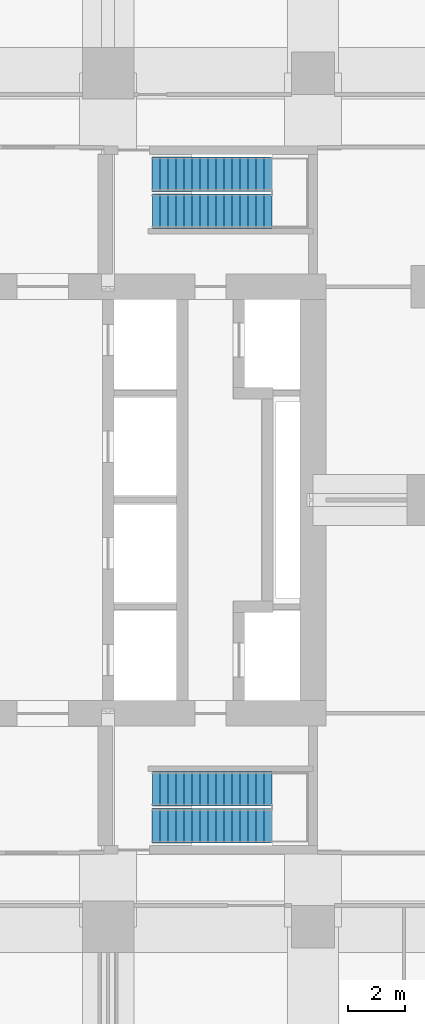
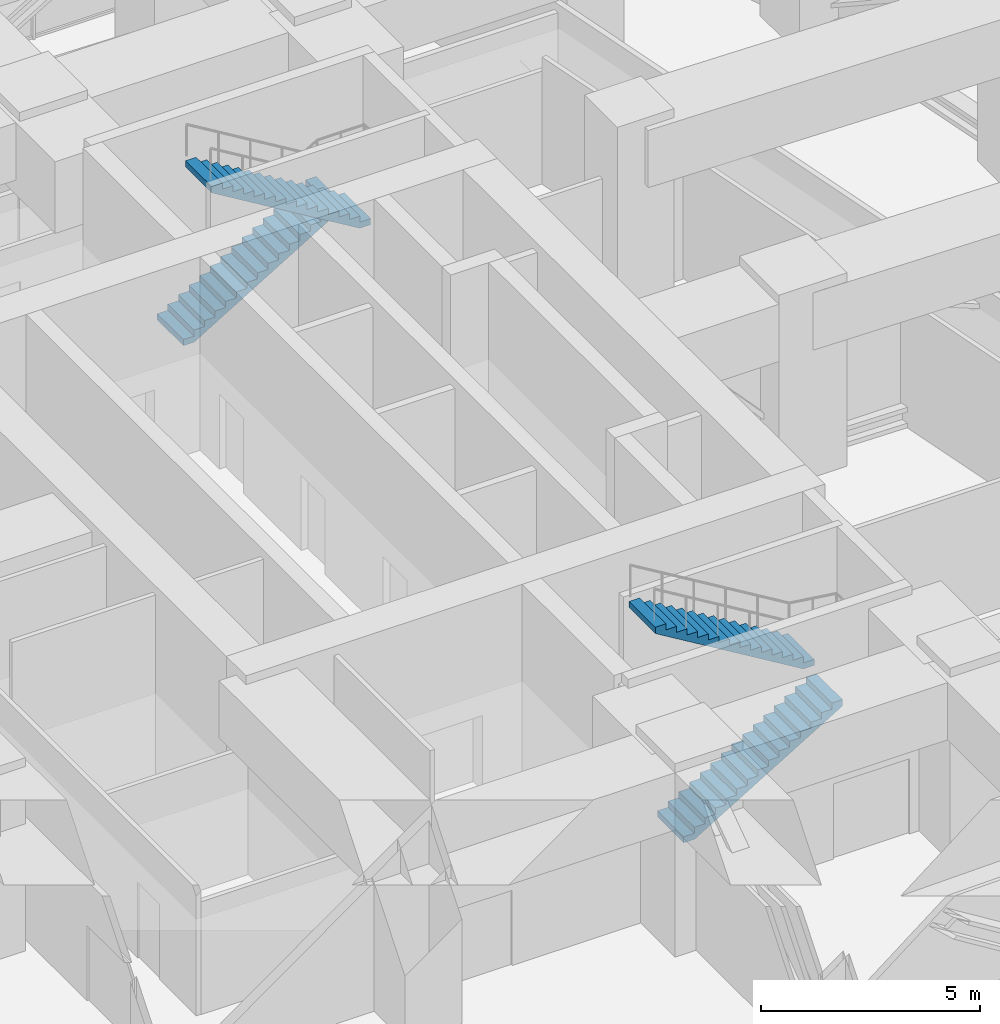
# One storey, part 16 of 17: 4 stair flights, 2 elements without a shape of their own.
"""IFC4 building model written with IfcOpenShell, lengths in metres."""

from ifc_helpers import new_model, si_unit, direction, frame, origin, place, context, subcontext, project, spatial, triangles, material, type_object, element, aggregate, save


model = new_model("IFC4")

# Units and contexts
model_context = context("Model", 3, precision=1e-05, world=origin(), true_north=direction((0.0, 1.0)))
body_context = subcontext(model_context, "Body", "Model", "MODEL_VIEW")
ifc_project = project(units=[si_unit("LENGTHUNIT", "METRE"), si_unit("AREAUNIT", "SQUARE_METRE"), si_unit("VOLUMEUNIT", "CUBIC_METRE"), si_unit("PLANEANGLEUNIT", "RADIAN"), si_unit("MASSUNIT", "GRAM", prefix="KILO")], contexts=[model_context])

# Site, building, storey
site_placement = place(None, origin())
site = spatial("IfcSite", under=ifc_project, at=site_placement, CompositionType="ELEMENT")
building_placement = place(site_placement, origin())
building = spatial("IfcBuilding", under=site, at=building_placement, Name="Sheger Commons Tower", CompositionType="ELEMENT")
storey_placement = place(building_placement, frame((0.0, 0.0, 188.300048828125)))
storey = spatial("IfcBuildingStorey", under=building, at=storey_placement, Name="L48", CompositionType="ELEMENT", Elevation=188.300048828125)

# Stair, stair flights
ifc_material_1 = material(Name="Concrete C35/45", Category="concrete")
stair_type = type_object("IfcStairType", Name="HALF-TURN STAIR 1200 RISE 5400", PredefinedType="HALF_TURN_STAIR", material=ifc_material_1)
stair_1_placement = place(storey_placement, origin())
stair_1 = element("IfcStair", 1, at=stair_1_placement, inside=storey, type_object=stair_type, Name="Stair S1 L48", PredefinedType="HALF_TURN_STAIR")
ifc_material_2 = material(Name="Concrete C35/45", Category="concrete")
stair_flight_type = type_object("IfcStairFlightType", Name="STAIR FLIGHT 1200 16 RISERS OF 169", PredefinedType="STRAIGHT", material=ifc_material_2)
stair_flight_1_placement = place(storey_placement, frame((23.14990234375, 11.050048828125, 0.0), z_axis=(0.0, 0.0, 1.0), x_axis=(1.0, 0.0, 0.0)))
stair_flight_1 = element("IfcStairFlight", 2, at=stair_flight_1_placement, type_object=stair_flight_type, Name="S1 flight 1", NumberOfRisers=16, NumberOfTreads=15, PredefinedType="STRAIGHT", RiserHeight=0.16875, TreadLength=0.28, context=body_context, shape_type="Tessellation", body=[
    triangles([(0.0, 0.5999755859375, 0.0), (0.0, 0.5999755859375, 0.168701171875), (0.280029296875, 0.5999755859375, 0.168701171875), (0.280029296875, 0.5999755859375, 0.33740234375), (0.56005859375, 0.5999755859375, 0.33740234375), (0.56005859375, 0.5999755859375, 0.50634765625), (0.840087890625, 0.5999755859375, 0.50634765625), (0.840087890625, 0.5999755859375, 0.675048828125), (1.1201171875, 0.5999755859375, 0.675048828125), (1.1201171875, 0.5999755859375, 0.84375), (1.39990234375, 0.5999755859375, 0.84375), (1.39990234375, 0.5999755859375, 1.012451171875), (1.679931640625, 0.5999755859375, 1.012451171875), (1.679931640625, 0.5999755859375, 1.18115234375), (1.9599609375, 0.5999755859375, 1.18115234375), (1.9599609375, 0.5999755859375, 1.35009765625), (2.239990234375, 0.5999755859375, 1.35009765625), (2.239990234375, 0.5999755859375, 1.518798828125), (2.52001953125, 0.5999755859375, 1.518798828125), (2.52001953125, 0.5999755859375, 1.6875), (2.800048828125, 0.5999755859375, 1.6875), (2.800048828125, 0.5999755859375, 1.856201171875), (3.080078125, 0.5999755859375, 1.856201171875), (3.080078125, 0.5999755859375, 2.02490234375), (3.360107421875, 0.5999755859375, 2.02490234375), (3.360107421875, 0.5999755859375, 2.19384765625), (3.639892578125, 0.5999755859375, 2.19384765625), (3.639892578125, 0.5999755859375, 2.362548828125), (3.919921875, 0.5999755859375, 2.362548828125), (3.919921875, 0.5999755859375, 2.53125), (4.199951171875, 0.5999755859375, 2.53125), (4.199951171875, 0.5999755859375, 2.356201171875), (0.29052734375, 0.5999755859375, 0.0), (0.0, -0.5999755859375, 0.0), (0.0, -0.5999755859375, 0.168701171875), (0.280029296875, -0.5999755859375, 0.168701171875), (0.280029296875, -0.5999755859375, 0.33740234375), (0.56005859375, -0.5999755859375, 0.33740234375), (0.56005859375, -0.5999755859375, 0.50634765625), (0.840087890625, -0.5999755859375, 0.50634765625), (0.840087890625, -0.5999755859375, 0.675048828125), (1.1201171875, -0.5999755859375, 0.675048828125), (1.1201171875, -0.5999755859375, 0.84375), (1.39990234375, -0.5999755859375, 0.84375), (1.39990234375, -0.5999755859375, 1.012451171875), (1.679931640625, -0.5999755859375, 1.012451171875), (1.679931640625, -0.5999755859375, 1.18115234375), (1.9599609375, -0.5999755859375, 1.18115234375), (1.9599609375, -0.5999755859375, 1.35009765625), (2.239990234375, -0.5999755859375, 1.35009765625), (2.239990234375, -0.5999755859375, 1.518798828125), (2.52001953125, -0.5999755859375, 1.518798828125), (2.52001953125, -0.5999755859375, 1.6875), (2.800048828125, -0.5999755859375, 1.6875), (2.800048828125, -0.5999755859375, 1.856201171875), (3.080078125, -0.5999755859375, 1.856201171875), (3.080078125, -0.5999755859375, 2.02490234375), (3.360107421875, -0.5999755859375, 2.02490234375), (3.360107421875, -0.5999755859375, 2.19384765625), (3.639892578125, -0.5999755859375, 2.19384765625), (3.639892578125, -0.5999755859375, 2.362548828125), (3.919921875, -0.5999755859375, 2.362548828125), (3.919921875, -0.5999755859375, 2.53125), (4.199951171875, -0.5999755859375, 2.53125), (4.199951171875, -0.5999755859375, 2.356201171875), (0.29052734375, -0.5999755859375, 0.0), (0.0, 0.0, 0.0843505859375), (0.1400146484375, 0.0, 0.168701171875), (0.280029296875, 0.0, 0.2530517578125), (0.4200439453125, 0.0, 0.33740234375), (0.56005859375, 0.0, 0.421875), (0.7000732421875, 0.0, 0.50634765625), (0.840087890625, 0.0, 0.5906982421875), (0.9801025390625, 0.0, 0.675048828125), (1.1201171875, 0.0, 0.7593994140625), (1.260009765625, 0.0, 0.84375), (1.39990234375, 0.0, 0.9281005859375), (1.5399169921875, 0.0, 1.012451171875), (1.679931640625, 0.0, 1.0968017578125), (1.8199462890625, 0.0, 1.18115234375), (1.9599609375, 0.0, 1.265625), (2.0999755859375, 0.0, 1.35009765625), (2.239990234375, 0.0, 1.4344482421875), (2.3800048828125, 0.0, 1.518798828125), (2.52001953125, 0.0, 1.6031494140625), (2.6600341796875, 0.0, 1.6875), (2.800048828125, 0.0, 1.7718505859375), (2.9400634765625, 0.0, 1.856201171875), (3.080078125, 0.0, 1.9405517578125), (3.2200927734375, 0.0, 2.02490234375), (3.360107421875, 0.0, 2.109375), (3.5, 0.0, 2.19384765625), (3.639892578125, 0.0, 2.2781982421875), (3.7799072265625, 0.0, 2.362548828125), (3.919921875, 0.0, 2.4468994140625), (4.0599365234375, 0.0, 2.53125), (4.199951171875, 0.0, 2.4437255859375), (2.2452392578125, 0.0, 1.1781005859375), (0.145263671875, 0.0, 0.0)], [[1, 32, 33], [34, 66, 65], [32, 30, 31], [65, 64, 63], [32, 29, 30], [65, 63, 62], [32, 28, 29], [65, 62, 61], [32, 27, 28], [65, 61, 60], [27, 25, 26], [60, 59, 58], [32, 25, 27], [65, 60, 58], [25, 23, 24], [58, 57, 56], [32, 23, 25], [65, 58, 56], [23, 21, 22], [56, 55, 54], [32, 21, 23], [65, 56, 54], [21, 19, 20], [54, 53, 52], [32, 19, 21], [65, 54, 52], [19, 17, 18], [52, 51, 50], [32, 17, 19], [65, 52, 50], [17, 15, 16], [50, 49, 48], [32, 15, 17], [65, 50, 48], [15, 13, 14], [48, 47, 46], [32, 13, 15], [65, 48, 46], [13, 11, 12], [46, 45, 44], [32, 11, 13], [65, 46, 44], [11, 9, 10], [44, 43, 42], [32, 9, 11], [65, 44, 42], [9, 7, 8], [42, 41, 40], [32, 7, 9], [65, 42, 40], [7, 5, 6], [40, 39, 38], [32, 5, 7], [65, 40, 38], [5, 3, 4], [38, 37, 36], [32, 3, 5], [65, 38, 36], [1, 3, 32], [34, 65, 36], [3, 1, 2], [36, 35, 34], [1, 67, 2], [2, 67, 35], [35, 67, 34], [34, 67, 1], [2, 68, 3], [3, 68, 36], [36, 68, 35], [35, 68, 2], [3, 69, 4], [4, 69, 37], [37, 69, 36], [36, 69, 3], [4, 70, 5], [5, 70, 38], [38, 70, 37], [37, 70, 4], [5, 71, 6], [6, 71, 39], [39, 71, 38], [38, 71, 5], [6, 72, 7], [7, 72, 40], [40, 72, 39], [39, 72, 6], [7, 73, 8], [8, 73, 41], [41, 73, 40], [40, 73, 7], [8, 74, 9], [9, 74, 42], [42, 74, 41], [41, 74, 8], [9, 75, 10], [10, 75, 43], [43, 75, 42], [42, 75, 9], [10, 76, 11], [11, 76, 44], [44, 76, 43], [43, 76, 10], [11, 77, 12], [12, 77, 45], [45, 77, 44], [44, 77, 11], [12, 78, 13], [13, 78, 46], [46, 78, 45], [45, 78, 12], [13, 79, 14], [14, 79, 47], [47, 79, 46], [46, 79, 13], [14, 80, 15], [15, 80, 48], [48, 80, 47], [47, 80, 14], [15, 81, 16], [16, 81, 49], [49, 81, 48], [48, 81, 15], [16, 82, 17], [17, 82, 50], [50, 82, 49], [49, 82, 16], [17, 83, 18], [18, 83, 51], [51, 83, 50], [50, 83, 17], [18, 84, 19], [19, 84, 52], [52, 84, 51], [51, 84, 18], [19, 85, 20], [20, 85, 53], [53, 85, 52], [52, 85, 19], [20, 86, 21], [21, 86, 54], [54, 86, 53], [53, 86, 20], [21, 87, 22], [22, 87, 55], [55, 87, 54], [54, 87, 21], [22, 88, 23], [23, 88, 56], [56, 88, 55], [55, 88, 22], [23, 89, 24], [24, 89, 57], [57, 89, 56], [56, 89, 23], [24, 90, 25], [25, 90, 58], [58, 90, 57], [57, 90, 24], [25, 91, 26], [26, 91, 59], [59, 91, 58], [58, 91, 25], [26, 92, 27], [27, 92, 60], [60, 92, 59], [59, 92, 26], [27, 93, 28], [28, 93, 61], [61, 93, 60], [60, 93, 27], [28, 94, 29], [29, 94, 62], [62, 94, 61], [61, 94, 28], [29, 95, 30], [30, 95, 63], [63, 95, 62], [62, 95, 29], [30, 96, 31], [31, 96, 64], [64, 96, 63], [63, 96, 30], [31, 97, 32], [32, 97, 65], [65, 97, 64], [64, 97, 31], [32, 98, 33], [33, 98, 66], [66, 98, 65], [65, 98, 32], [33, 99, 1], [1, 99, 34], [34, 99, 66], [66, 99, 33]], closed=True),
])
stair_flight_2_placement = place(storey_placement, frame((27.35009765625, 12.35009765625, 2.699951171875), z_axis=(0.0, 0.0, 1.0), x_axis=(-1.0, 0.0, 0.0)))
stair_flight_2 = element("IfcStairFlight", 3, at=stair_flight_2_placement, type_object=stair_flight_type, Name="S1 flight 2", NumberOfRisers=16, NumberOfTreads=15, PredefinedType="STRAIGHT", RiserHeight=0.16875, TreadLength=0.28, context=body_context, shape_type="Tessellation", body=[
    triangles([(0.0, 0.5999755859375, 0.0), (0.0, 0.5999755859375, 0.168701171875), (0.280029296875, 0.5999755859375, 0.168701171875), (0.280029296875, 0.5999755859375, 0.33740234375), (0.56005859375, 0.5999755859375, 0.33740234375), (0.56005859375, 0.5999755859375, 0.50634765625), (0.840087890625, 0.5999755859375, 0.50634765625), (0.840087890625, 0.5999755859375, 0.675048828125), (1.1201171875, 0.5999755859375, 0.675048828125), (1.1201171875, 0.5999755859375, 0.84375), (1.39990234375, 0.5999755859375, 0.84375), (1.39990234375, 0.5999755859375, 1.012451171875), (1.679931640625, 0.5999755859375, 1.012451171875), (1.679931640625, 0.5999755859375, 1.18115234375), (1.9599609375, 0.5999755859375, 1.18115234375), (1.9599609375, 0.5999755859375, 1.35009765625), (2.239990234375, 0.5999755859375, 1.35009765625), (2.239990234375, 0.5999755859375, 1.518798828125), (2.52001953125, 0.5999755859375, 1.518798828125), (2.52001953125, 0.5999755859375, 1.6875), (2.800048828125, 0.5999755859375, 1.6875), (2.800048828125, 0.5999755859375, 1.856201171875), (3.080078125, 0.5999755859375, 1.856201171875), (3.080078125, 0.5999755859375, 2.02490234375), (3.360107421875, 0.5999755859375, 2.02490234375), (3.360107421875, 0.5999755859375, 2.19384765625), (3.639892578125, 0.5999755859375, 2.19384765625), (3.639892578125, 0.5999755859375, 2.362548828125), (3.919921875, 0.5999755859375, 2.362548828125), (3.919921875, 0.5999755859375, 2.53125), (4.199951171875, 0.5999755859375, 2.53125), (4.199951171875, 0.5999755859375, 2.356201171875), (0.29052734375, 0.5999755859375, 0.0), (0.0, -0.5999755859375, 0.0), (0.0, -0.5999755859375, 0.168701171875), (0.280029296875, -0.5999755859375, 0.168701171875), (0.280029296875, -0.5999755859375, 0.33740234375), (0.56005859375, -0.5999755859375, 0.33740234375), (0.56005859375, -0.5999755859375, 0.50634765625), (0.840087890625, -0.5999755859375, 0.50634765625), (0.840087890625, -0.5999755859375, 0.675048828125), (1.1201171875, -0.5999755859375, 0.675048828125), (1.1201171875, -0.5999755859375, 0.84375), (1.39990234375, -0.5999755859375, 0.84375), (1.39990234375, -0.5999755859375, 1.012451171875), (1.679931640625, -0.5999755859375, 1.012451171875), (1.679931640625, -0.5999755859375, 1.18115234375), (1.9599609375, -0.5999755859375, 1.18115234375), (1.9599609375, -0.5999755859375, 1.35009765625), (2.239990234375, -0.5999755859375, 1.35009765625), (2.239990234375, -0.5999755859375, 1.518798828125), (2.52001953125, -0.5999755859375, 1.518798828125), (2.52001953125, -0.5999755859375, 1.6875), (2.800048828125, -0.5999755859375, 1.6875), (2.800048828125, -0.5999755859375, 1.856201171875), (3.080078125, -0.5999755859375, 1.856201171875), (3.080078125, -0.5999755859375, 2.02490234375), (3.360107421875, -0.5999755859375, 2.02490234375), (3.360107421875, -0.5999755859375, 2.19384765625), (3.639892578125, -0.5999755859375, 2.19384765625), (3.639892578125, -0.5999755859375, 2.362548828125), (3.919921875, -0.5999755859375, 2.362548828125), (3.919921875, -0.5999755859375, 2.53125), (4.199951171875, -0.5999755859375, 2.53125), (4.199951171875, -0.5999755859375, 2.356201171875), (0.29052734375, -0.5999755859375, 0.0), (0.0, 0.0, 0.0843505859375), (0.1400146484375, 0.0, 0.168701171875), (0.280029296875, 0.0, 0.2530517578125), (0.4200439453125, 0.0, 0.33740234375), (0.56005859375, 0.0, 0.421875), (0.7000732421875, 0.0, 0.50634765625), (0.840087890625, 0.0, 0.5906982421875), (0.9801025390625, 0.0, 0.675048828125), (1.1201171875, 0.0, 0.7593994140625), (1.260009765625, 0.0, 0.84375), (1.39990234375, 0.0, 0.9281005859375), (1.5399169921875, 0.0, 1.012451171875), (1.679931640625, 0.0, 1.0968017578125), (1.8199462890625, 0.0, 1.18115234375), (1.9599609375, 0.0, 1.265625), (2.0999755859375, 0.0, 1.35009765625), (2.239990234375, 0.0, 1.4344482421875), (2.3800048828125, 0.0, 1.518798828125), (2.52001953125, 0.0, 1.6031494140625), (2.6600341796875, 0.0, 1.6875), (2.800048828125, 0.0, 1.7718505859375), (2.9400634765625, 0.0, 1.856201171875), (3.080078125, 0.0, 1.9405517578125), (3.2200927734375, 0.0, 2.02490234375), (3.360107421875, 0.0, 2.109375), (3.5, 0.0, 2.19384765625), (3.639892578125, 0.0, 2.2781982421875), (3.7799072265625, 0.0, 2.362548828125), (3.919921875, 0.0, 2.4468994140625), (4.0599365234375, 0.0, 2.53125), (4.199951171875, 0.0, 2.4437255859375), (2.2452392578125, 0.0, 1.1781005859375), (0.145263671875, 0.0, 0.0)], [[1, 32, 33], [34, 66, 65], [32, 30, 31], [65, 64, 63], [32, 29, 30], [65, 63, 62], [32, 28, 29], [65, 62, 61], [32, 27, 28], [65, 61, 60], [27, 25, 26], [60, 59, 58], [32, 25, 27], [65, 60, 58], [25, 23, 24], [58, 57, 56], [32, 23, 25], [65, 58, 56], [23, 21, 22], [56, 55, 54], [32, 21, 23], [65, 56, 54], [21, 19, 20], [54, 53, 52], [32, 19, 21], [65, 54, 52], [19, 17, 18], [52, 51, 50], [32, 17, 19], [65, 52, 50], [17, 15, 16], [50, 49, 48], [32, 15, 17], [65, 50, 48], [15, 13, 14], [48, 47, 46], [32, 13, 15], [65, 48, 46], [13, 11, 12], [46, 45, 44], [32, 11, 13], [65, 46, 44], [11, 9, 10], [44, 43, 42], [32, 9, 11], [65, 44, 42], [9, 7, 8], [42, 41, 40], [32, 7, 9], [65, 42, 40], [7, 5, 6], [40, 39, 38], [32, 5, 7], [65, 40, 38], [5, 3, 4], [38, 37, 36], [32, 3, 5], [65, 38, 36], [1, 3, 32], [34, 65, 36], [3, 1, 2], [36, 35, 34], [1, 67, 2], [2, 67, 35], [35, 67, 34], [34, 67, 1], [2, 68, 3], [3, 68, 36], [36, 68, 35], [35, 68, 2], [3, 69, 4], [4, 69, 37], [37, 69, 36], [36, 69, 3], [4, 70, 5], [5, 70, 38], [38, 70, 37], [37, 70, 4], [5, 71, 6], [6, 71, 39], [39, 71, 38], [38, 71, 5], [6, 72, 7], [7, 72, 40], [40, 72, 39], [39, 72, 6], [7, 73, 8], [8, 73, 41], [41, 73, 40], [40, 73, 7], [8, 74, 9], [9, 74, 42], [42, 74, 41], [41, 74, 8], [9, 75, 10], [10, 75, 43], [43, 75, 42], [42, 75, 9], [10, 76, 11], [11, 76, 44], [44, 76, 43], [43, 76, 10], [11, 77, 12], [12, 77, 45], [45, 77, 44], [44, 77, 11], [12, 78, 13], [13, 78, 46], [46, 78, 45], [45, 78, 12], [13, 79, 14], [14, 79, 47], [47, 79, 46], [46, 79, 13], [14, 80, 15], [15, 80, 48], [48, 80, 47], [47, 80, 14], [15, 81, 16], [16, 81, 49], [49, 81, 48], [48, 81, 15], [16, 82, 17], [17, 82, 50], [50, 82, 49], [49, 82, 16], [17, 83, 18], [18, 83, 51], [51, 83, 50], [50, 83, 17], [18, 84, 19], [19, 84, 52], [52, 84, 51], [51, 84, 18], [19, 85, 20], [20, 85, 53], [53, 85, 52], [52, 85, 19], [20, 86, 21], [21, 86, 54], [54, 86, 53], [53, 86, 20], [21, 87, 22], [22, 87, 55], [55, 87, 54], [54, 87, 21], [22, 88, 23], [23, 88, 56], [56, 88, 55], [55, 88, 22], [23, 89, 24], [24, 89, 57], [57, 89, 56], [56, 89, 23], [24, 90, 25], [25, 90, 58], [58, 90, 57], [57, 90, 24], [25, 91, 26], [26, 91, 59], [59, 91, 58], [58, 91, 25], [26, 92, 27], [27, 92, 60], [60, 92, 59], [59, 92, 26], [27, 93, 28], [28, 93, 61], [61, 93, 60], [60, 93, 27], [28, 94, 29], [29, 94, 62], [62, 94, 61], [61, 94, 28], [29, 95, 30], [30, 95, 63], [63, 95, 62], [62, 95, 29], [30, 96, 31], [31, 96, 64], [64, 96, 63], [63, 96, 30], [31, 97, 32], [32, 97, 65], [65, 97, 64], [64, 97, 31], [32, 98, 33], [33, 98, 66], [66, 98, 65], [65, 98, 32], [33, 99, 1], [1, 99, 34], [34, 99, 66], [66, 99, 33]], closed=True),
])
aggregate(stair_1, [stair_flight_1, stair_flight_2])

stair_2_placement = place(storey_placement, origin())
stair_2 = element("IfcStair", 4, at=stair_2_placement, inside=storey, type_object=stair_type, Name="Stair S2 L48", PredefinedType="HALF_TURN_STAIR")
stair_flight_3_placement = place(storey_placement, frame((23.14990234375, 33.949951171875, 0.0), z_axis=(0.0, 0.0, 1.0), x_axis=(1.0, 0.0, 0.0)))
stair_flight_3 = element("IfcStairFlight", 5, at=stair_flight_3_placement, type_object=stair_flight_type, Name="S2 flight 1", NumberOfRisers=16, NumberOfTreads=15, PredefinedType="STRAIGHT", RiserHeight=0.16875, TreadLength=0.28, context=body_context, shape_type="Tessellation", body=[
    triangles([(0.0, 0.5999755859375, 0.0), (0.0, 0.5999755859375, 0.168701171875), (0.280029296875, 0.5999755859375, 0.168701171875), (0.280029296875, 0.5999755859375, 0.33740234375), (0.56005859375, 0.5999755859375, 0.33740234375), (0.56005859375, 0.5999755859375, 0.50634765625), (0.840087890625, 0.5999755859375, 0.50634765625), (0.840087890625, 0.5999755859375, 0.675048828125), (1.1201171875, 0.5999755859375, 0.675048828125), (1.1201171875, 0.5999755859375, 0.84375), (1.39990234375, 0.5999755859375, 0.84375), (1.39990234375, 0.5999755859375, 1.012451171875), (1.679931640625, 0.5999755859375, 1.012451171875), (1.679931640625, 0.5999755859375, 1.18115234375), (1.9599609375, 0.5999755859375, 1.18115234375), (1.9599609375, 0.5999755859375, 1.35009765625), (2.239990234375, 0.5999755859375, 1.35009765625), (2.239990234375, 0.5999755859375, 1.518798828125), (2.52001953125, 0.5999755859375, 1.518798828125), (2.52001953125, 0.5999755859375, 1.6875), (2.800048828125, 0.5999755859375, 1.6875), (2.800048828125, 0.5999755859375, 1.856201171875), (3.080078125, 0.5999755859375, 1.856201171875), (3.080078125, 0.5999755859375, 2.02490234375), (3.360107421875, 0.5999755859375, 2.02490234375), (3.360107421875, 0.5999755859375, 2.19384765625), (3.639892578125, 0.5999755859375, 2.19384765625), (3.639892578125, 0.5999755859375, 2.362548828125), (3.919921875, 0.5999755859375, 2.362548828125), (3.919921875, 0.5999755859375, 2.53125), (4.199951171875, 0.5999755859375, 2.53125), (4.199951171875, 0.5999755859375, 2.356201171875), (0.29052734375, 0.5999755859375, 0.0), (0.0, -0.5999755859375, 0.0), (0.0, -0.5999755859375, 0.168701171875), (0.280029296875, -0.5999755859375, 0.168701171875), (0.280029296875, -0.5999755859375, 0.33740234375), (0.56005859375, -0.5999755859375, 0.33740234375), (0.56005859375, -0.5999755859375, 0.50634765625), (0.840087890625, -0.5999755859375, 0.50634765625), (0.840087890625, -0.5999755859375, 0.675048828125), (1.1201171875, -0.5999755859375, 0.675048828125), (1.1201171875, -0.5999755859375, 0.84375), (1.39990234375, -0.5999755859375, 0.84375), (1.39990234375, -0.5999755859375, 1.012451171875), (1.679931640625, -0.5999755859375, 1.012451171875), (1.679931640625, -0.5999755859375, 1.18115234375), (1.9599609375, -0.5999755859375, 1.18115234375), (1.9599609375, -0.5999755859375, 1.35009765625), (2.239990234375, -0.5999755859375, 1.35009765625), (2.239990234375, -0.5999755859375, 1.518798828125), (2.52001953125, -0.5999755859375, 1.518798828125), (2.52001953125, -0.5999755859375, 1.6875), (2.800048828125, -0.5999755859375, 1.6875), (2.800048828125, -0.5999755859375, 1.856201171875), (3.080078125, -0.5999755859375, 1.856201171875), (3.080078125, -0.5999755859375, 2.02490234375), (3.360107421875, -0.5999755859375, 2.02490234375), (3.360107421875, -0.5999755859375, 2.19384765625), (3.639892578125, -0.5999755859375, 2.19384765625), (3.639892578125, -0.5999755859375, 2.362548828125), (3.919921875, -0.5999755859375, 2.362548828125), (3.919921875, -0.5999755859375, 2.53125), (4.199951171875, -0.5999755859375, 2.53125), (4.199951171875, -0.5999755859375, 2.356201171875), (0.29052734375, -0.5999755859375, 0.0), (0.0, 0.0, 0.0843505859375), (0.1400146484375, 0.0, 0.168701171875), (0.280029296875, 0.0, 0.2530517578125), (0.4200439453125, 0.0, 0.33740234375), (0.56005859375, 0.0, 0.421875), (0.7000732421875, 0.0, 0.50634765625), (0.840087890625, 0.0, 0.5906982421875), (0.9801025390625, 0.0, 0.675048828125), (1.1201171875, 0.0, 0.7593994140625), (1.260009765625, 0.0, 0.84375), (1.39990234375, 0.0, 0.9281005859375), (1.5399169921875, 0.0, 1.012451171875), (1.679931640625, 0.0, 1.0968017578125), (1.8199462890625, 0.0, 1.18115234375), (1.9599609375, 0.0, 1.265625), (2.0999755859375, 0.0, 1.35009765625), (2.239990234375, 0.0, 1.4344482421875), (2.3800048828125, 0.0, 1.518798828125), (2.52001953125, 0.0, 1.6031494140625), (2.6600341796875, 0.0, 1.6875), (2.800048828125, 0.0, 1.7718505859375), (2.9400634765625, 0.0, 1.856201171875), (3.080078125, 0.0, 1.9405517578125), (3.2200927734375, 0.0, 2.02490234375), (3.360107421875, 0.0, 2.109375), (3.5, 0.0, 2.19384765625), (3.639892578125, 0.0, 2.2781982421875), (3.7799072265625, 0.0, 2.362548828125), (3.919921875, 0.0, 2.4468994140625), (4.0599365234375, 0.0, 2.53125), (4.199951171875, 0.0, 2.4437255859375), (2.2452392578125, 0.0, 1.1781005859375), (0.145263671875, 0.0, 0.0)], [[1, 32, 33], [34, 66, 65], [32, 30, 31], [65, 64, 63], [32, 29, 30], [65, 63, 62], [32, 28, 29], [65, 62, 61], [32, 27, 28], [65, 61, 60], [27, 25, 26], [60, 59, 58], [32, 25, 27], [65, 60, 58], [25, 23, 24], [58, 57, 56], [32, 23, 25], [65, 58, 56], [23, 21, 22], [56, 55, 54], [32, 21, 23], [65, 56, 54], [21, 19, 20], [54, 53, 52], [32, 19, 21], [65, 54, 52], [19, 17, 18], [52, 51, 50], [32, 17, 19], [65, 52, 50], [17, 15, 16], [50, 49, 48], [32, 15, 17], [65, 50, 48], [15, 13, 14], [48, 47, 46], [32, 13, 15], [65, 48, 46], [13, 11, 12], [46, 45, 44], [32, 11, 13], [65, 46, 44], [11, 9, 10], [44, 43, 42], [32, 9, 11], [65, 44, 42], [9, 7, 8], [42, 41, 40], [32, 7, 9], [65, 42, 40], [7, 5, 6], [40, 39, 38], [32, 5, 7], [65, 40, 38], [5, 3, 4], [38, 37, 36], [32, 3, 5], [65, 38, 36], [1, 3, 32], [34, 65, 36], [3, 1, 2], [36, 35, 34], [1, 67, 2], [2, 67, 35], [35, 67, 34], [34, 67, 1], [2, 68, 3], [3, 68, 36], [36, 68, 35], [35, 68, 2], [3, 69, 4], [4, 69, 37], [37, 69, 36], [36, 69, 3], [4, 70, 5], [5, 70, 38], [38, 70, 37], [37, 70, 4], [5, 71, 6], [6, 71, 39], [39, 71, 38], [38, 71, 5], [6, 72, 7], [7, 72, 40], [40, 72, 39], [39, 72, 6], [7, 73, 8], [8, 73, 41], [41, 73, 40], [40, 73, 7], [8, 74, 9], [9, 74, 42], [42, 74, 41], [41, 74, 8], [9, 75, 10], [10, 75, 43], [43, 75, 42], [42, 75, 9], [10, 76, 11], [11, 76, 44], [44, 76, 43], [43, 76, 10], [11, 77, 12], [12, 77, 45], [45, 77, 44], [44, 77, 11], [12, 78, 13], [13, 78, 46], [46, 78, 45], [45, 78, 12], [13, 79, 14], [14, 79, 47], [47, 79, 46], [46, 79, 13], [14, 80, 15], [15, 80, 48], [48, 80, 47], [47, 80, 14], [15, 81, 16], [16, 81, 49], [49, 81, 48], [48, 81, 15], [16, 82, 17], [17, 82, 50], [50, 82, 49], [49, 82, 16], [17, 83, 18], [18, 83, 51], [51, 83, 50], [50, 83, 17], [18, 84, 19], [19, 84, 52], [52, 84, 51], [51, 84, 18], [19, 85, 20], [20, 85, 53], [53, 85, 52], [52, 85, 19], [20, 86, 21], [21, 86, 54], [54, 86, 53], [53, 86, 20], [21, 87, 22], [22, 87, 55], [55, 87, 54], [54, 87, 21], [22, 88, 23], [23, 88, 56], [56, 88, 55], [55, 88, 22], [23, 89, 24], [24, 89, 57], [57, 89, 56], [56, 89, 23], [24, 90, 25], [25, 90, 58], [58, 90, 57], [57, 90, 24], [25, 91, 26], [26, 91, 59], [59, 91, 58], [58, 91, 25], [26, 92, 27], [27, 92, 60], [60, 92, 59], [59, 92, 26], [27, 93, 28], [28, 93, 61], [61, 93, 60], [60, 93, 27], [28, 94, 29], [29, 94, 62], [62, 94, 61], [61, 94, 28], [29, 95, 30], [30, 95, 63], [63, 95, 62], [62, 95, 29], [30, 96, 31], [31, 96, 64], [64, 96, 63], [63, 96, 30], [31, 97, 32], [32, 97, 65], [65, 97, 64], [64, 97, 31], [32, 98, 33], [33, 98, 66], [66, 98, 65], [65, 98, 32], [33, 99, 1], [1, 99, 34], [34, 99, 66], [66, 99, 33]], closed=True),
])
stair_flight_4_placement = place(storey_placement, frame((27.35009765625, 32.64990234375, 2.699951171875), z_axis=(0.0, 0.0, 1.0), x_axis=(-1.0, 0.0, 0.0)))
stair_flight_4 = element("IfcStairFlight", 6, at=stair_flight_4_placement, type_object=stair_flight_type, Name="S2 flight 2", NumberOfRisers=16, NumberOfTreads=15, PredefinedType="STRAIGHT", RiserHeight=0.16875, TreadLength=0.28, context=body_context, shape_type="Tessellation", body=[
    triangles([(0.0, 0.5999755859375, 0.0), (0.0, 0.5999755859375, 0.168701171875), (0.280029296875, 0.5999755859375, 0.168701171875), (0.280029296875, 0.5999755859375, 0.33740234375), (0.56005859375, 0.5999755859375, 0.33740234375), (0.56005859375, 0.5999755859375, 0.50634765625), (0.840087890625, 0.5999755859375, 0.50634765625), (0.840087890625, 0.5999755859375, 0.675048828125), (1.1201171875, 0.5999755859375, 0.675048828125), (1.1201171875, 0.5999755859375, 0.84375), (1.39990234375, 0.5999755859375, 0.84375), (1.39990234375, 0.5999755859375, 1.012451171875), (1.679931640625, 0.5999755859375, 1.012451171875), (1.679931640625, 0.5999755859375, 1.18115234375), (1.9599609375, 0.5999755859375, 1.18115234375), (1.9599609375, 0.5999755859375, 1.35009765625), (2.239990234375, 0.5999755859375, 1.35009765625), (2.239990234375, 0.5999755859375, 1.518798828125), (2.52001953125, 0.5999755859375, 1.518798828125), (2.52001953125, 0.5999755859375, 1.6875), (2.800048828125, 0.5999755859375, 1.6875), (2.800048828125, 0.5999755859375, 1.856201171875), (3.080078125, 0.5999755859375, 1.856201171875), (3.080078125, 0.5999755859375, 2.02490234375), (3.360107421875, 0.5999755859375, 2.02490234375), (3.360107421875, 0.5999755859375, 2.19384765625), (3.639892578125, 0.5999755859375, 2.19384765625), (3.639892578125, 0.5999755859375, 2.362548828125), (3.919921875, 0.5999755859375, 2.362548828125), (3.919921875, 0.5999755859375, 2.53125), (4.199951171875, 0.5999755859375, 2.53125), (4.199951171875, 0.5999755859375, 2.356201171875), (0.29052734375, 0.5999755859375, 0.0), (0.0, -0.5999755859375, 0.0), (0.0, -0.5999755859375, 0.168701171875), (0.280029296875, -0.5999755859375, 0.168701171875), (0.280029296875, -0.5999755859375, 0.33740234375), (0.56005859375, -0.5999755859375, 0.33740234375), (0.56005859375, -0.5999755859375, 0.50634765625), (0.840087890625, -0.5999755859375, 0.50634765625), (0.840087890625, -0.5999755859375, 0.675048828125), (1.1201171875, -0.5999755859375, 0.675048828125), (1.1201171875, -0.5999755859375, 0.84375), (1.39990234375, -0.5999755859375, 0.84375), (1.39990234375, -0.5999755859375, 1.012451171875), (1.679931640625, -0.5999755859375, 1.012451171875), (1.679931640625, -0.5999755859375, 1.18115234375), (1.9599609375, -0.5999755859375, 1.18115234375), (1.9599609375, -0.5999755859375, 1.35009765625), (2.239990234375, -0.5999755859375, 1.35009765625), (2.239990234375, -0.5999755859375, 1.518798828125), (2.52001953125, -0.5999755859375, 1.518798828125), (2.52001953125, -0.5999755859375, 1.6875), (2.800048828125, -0.5999755859375, 1.6875), (2.800048828125, -0.5999755859375, 1.856201171875), (3.080078125, -0.5999755859375, 1.856201171875), (3.080078125, -0.5999755859375, 2.02490234375), (3.360107421875, -0.5999755859375, 2.02490234375), (3.360107421875, -0.5999755859375, 2.19384765625), (3.639892578125, -0.5999755859375, 2.19384765625), (3.639892578125, -0.5999755859375, 2.362548828125), (3.919921875, -0.5999755859375, 2.362548828125), (3.919921875, -0.5999755859375, 2.53125), (4.199951171875, -0.5999755859375, 2.53125), (4.199951171875, -0.5999755859375, 2.356201171875), (0.29052734375, -0.5999755859375, 0.0), (0.0, 0.0, 0.0843505859375), (0.1400146484375, 0.0, 0.168701171875), (0.280029296875, 0.0, 0.2530517578125), (0.4200439453125, 0.0, 0.33740234375), (0.56005859375, 0.0, 0.421875), (0.7000732421875, 0.0, 0.50634765625), (0.840087890625, 0.0, 0.5906982421875), (0.9801025390625, 0.0, 0.675048828125), (1.1201171875, 0.0, 0.7593994140625), (1.260009765625, 0.0, 0.84375), (1.39990234375, 0.0, 0.9281005859375), (1.5399169921875, 0.0, 1.012451171875), (1.679931640625, 0.0, 1.0968017578125), (1.8199462890625, 0.0, 1.18115234375), (1.9599609375, 0.0, 1.265625), (2.0999755859375, 0.0, 1.35009765625), (2.239990234375, 0.0, 1.4344482421875), (2.3800048828125, 0.0, 1.518798828125), (2.52001953125, 0.0, 1.6031494140625), (2.6600341796875, 0.0, 1.6875), (2.800048828125, 0.0, 1.7718505859375), (2.9400634765625, 0.0, 1.856201171875), (3.080078125, 0.0, 1.9405517578125), (3.2200927734375, 0.0, 2.02490234375), (3.360107421875, 0.0, 2.109375), (3.5, 0.0, 2.19384765625), (3.639892578125, 0.0, 2.2781982421875), (3.7799072265625, 0.0, 2.362548828125), (3.919921875, 0.0, 2.4468994140625), (4.0599365234375, 0.0, 2.53125), (4.199951171875, 0.0, 2.4437255859375), (2.2452392578125, 0.0, 1.1781005859375), (0.145263671875, 0.0, 0.0)], [[1, 32, 33], [34, 66, 65], [32, 30, 31], [65, 64, 63], [32, 29, 30], [65, 63, 62], [32, 28, 29], [65, 62, 61], [32, 27, 28], [65, 61, 60], [27, 25, 26], [60, 59, 58], [32, 25, 27], [65, 60, 58], [25, 23, 24], [58, 57, 56], [32, 23, 25], [65, 58, 56], [23, 21, 22], [56, 55, 54], [32, 21, 23], [65, 56, 54], [21, 19, 20], [54, 53, 52], [32, 19, 21], [65, 54, 52], [19, 17, 18], [52, 51, 50], [32, 17, 19], [65, 52, 50], [17, 15, 16], [50, 49, 48], [32, 15, 17], [65, 50, 48], [15, 13, 14], [48, 47, 46], [32, 13, 15], [65, 48, 46], [13, 11, 12], [46, 45, 44], [32, 11, 13], [65, 46, 44], [11, 9, 10], [44, 43, 42], [32, 9, 11], [65, 44, 42], [9, 7, 8], [42, 41, 40], [32, 7, 9], [65, 42, 40], [7, 5, 6], [40, 39, 38], [32, 5, 7], [65, 40, 38], [5, 3, 4], [38, 37, 36], [32, 3, 5], [65, 38, 36], [1, 3, 32], [34, 65, 36], [3, 1, 2], [36, 35, 34], [1, 67, 2], [2, 67, 35], [35, 67, 34], [34, 67, 1], [2, 68, 3], [3, 68, 36], [36, 68, 35], [35, 68, 2], [3, 69, 4], [4, 69, 37], [37, 69, 36], [36, 69, 3], [4, 70, 5], [5, 70, 38], [38, 70, 37], [37, 70, 4], [5, 71, 6], [6, 71, 39], [39, 71, 38], [38, 71, 5], [6, 72, 7], [7, 72, 40], [40, 72, 39], [39, 72, 6], [7, 73, 8], [8, 73, 41], [41, 73, 40], [40, 73, 7], [8, 74, 9], [9, 74, 42], [42, 74, 41], [41, 74, 8], [9, 75, 10], [10, 75, 43], [43, 75, 42], [42, 75, 9], [10, 76, 11], [11, 76, 44], [44, 76, 43], [43, 76, 10], [11, 77, 12], [12, 77, 45], [45, 77, 44], [44, 77, 11], [12, 78, 13], [13, 78, 46], [46, 78, 45], [45, 78, 12], [13, 79, 14], [14, 79, 47], [47, 79, 46], [46, 79, 13], [14, 80, 15], [15, 80, 48], [48, 80, 47], [47, 80, 14], [15, 81, 16], [16, 81, 49], [49, 81, 48], [48, 81, 15], [16, 82, 17], [17, 82, 50], [50, 82, 49], [49, 82, 16], [17, 83, 18], [18, 83, 51], [51, 83, 50], [50, 83, 17], [18, 84, 19], [19, 84, 52], [52, 84, 51], [51, 84, 18], [19, 85, 20], [20, 85, 53], [53, 85, 52], [52, 85, 19], [20, 86, 21], [21, 86, 54], [54, 86, 53], [53, 86, 20], [21, 87, 22], [22, 87, 55], [55, 87, 54], [54, 87, 21], [22, 88, 23], [23, 88, 56], [56, 88, 55], [55, 88, 22], [23, 89, 24], [24, 89, 57], [57, 89, 56], [56, 89, 23], [24, 90, 25], [25, 90, 58], [58, 90, 57], [57, 90, 24], [25, 91, 26], [26, 91, 59], [59, 91, 58], [58, 91, 25], [26, 92, 27], [27, 92, 60], [60, 92, 59], [59, 92, 26], [27, 93, 28], [28, 93, 61], [61, 93, 60], [60, 93, 27], [28, 94, 29], [29, 94, 62], [62, 94, 61], [61, 94, 28], [29, 95, 30], [30, 95, 63], [63, 95, 62], [62, 95, 29], [30, 96, 31], [31, 96, 64], [64, 96, 63], [63, 96, 30], [31, 97, 32], [32, 97, 65], [65, 97, 64], [64, 97, 31], [32, 98, 33], [33, 98, 66], [66, 98, 65], [65, 98, 32], [33, 99, 1], [1, 99, 34], [34, 99, 66], [66, 99, 33]], closed=True),
])
aggregate(stair_2, [stair_flight_3, stair_flight_4])

save(model, "model.ifc")
